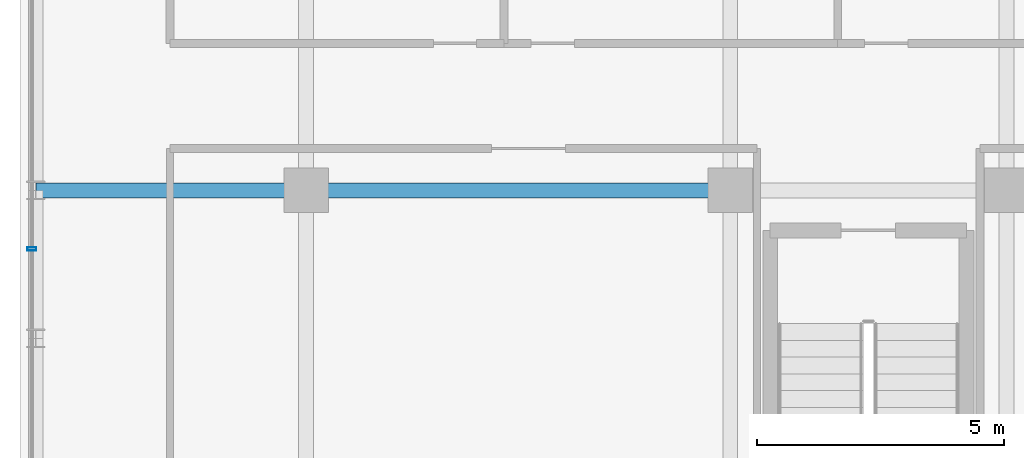
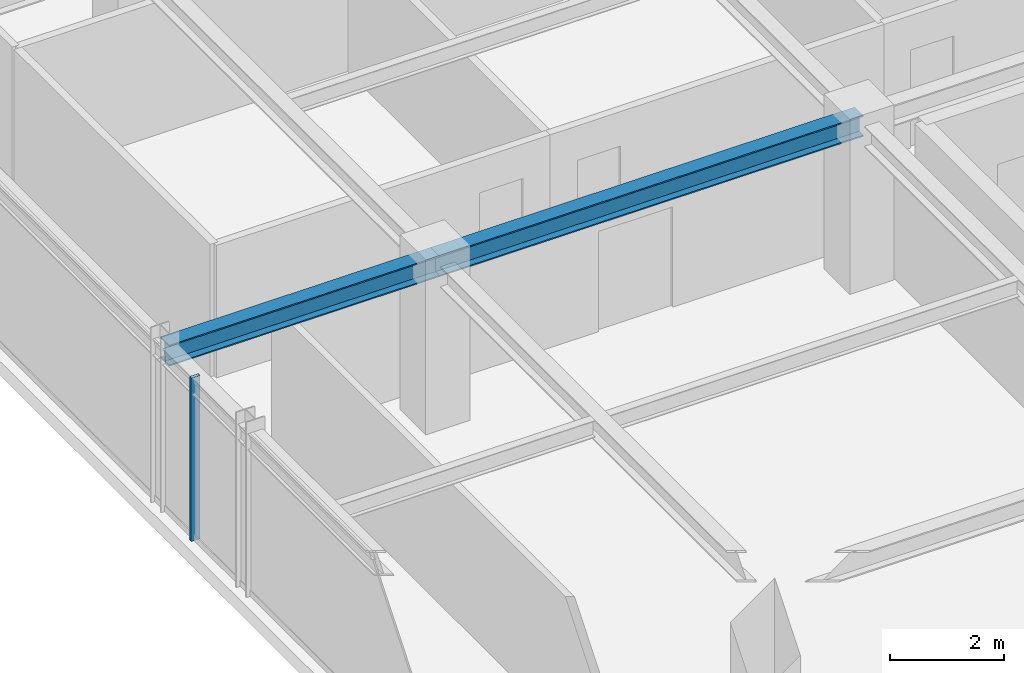
# One storey, part 9 of 32: 2 beams, 1 member, 1 element without a shape of its own.
"""IFC4 building model written with IfcOpenShell, lengths in metres."""

from ifc_helpers import new_model, si_unit, direction, frame, origin, origin_2d, place, context, subcontext, project, spatial, hollow_rectangle, i_section, extrude, source, transform, mapped, material, material_profile, profile_set, type_object, element, aggregate, save


model = new_model("IFC4")

# Units and contexts
model_context = context("Model", 3, precision=1e-05, world=origin(), true_north=direction((0.0, 1.0)))
body_context = subcontext(model_context, "Body", "Model", "MODEL_VIEW")
ifc_project = project(units=[si_unit("LENGTHUNIT", "METRE"), si_unit("AREAUNIT", "SQUARE_METRE"), si_unit("VOLUMEUNIT", "CUBIC_METRE"), si_unit("PLANEANGLEUNIT", "RADIAN"), si_unit("MASSUNIT", "GRAM", prefix="KILO")], contexts=[model_context])

# Site, building, storey
site_placement = place(None, origin())
site = spatial("IfcSite", under=ifc_project, at=site_placement, CompositionType="ELEMENT")
building_placement = place(site_placement, origin())
building = spatial("IfcBuilding", under=site, at=building_placement, Name="Nahalor Promenade Grand Hotel", CompositionType="ELEMENT")
storey_placement = place(building_placement, frame((0.0, 0.0, 330.949951171875)))
storey = spatial("IfcBuildingStorey", under=building, at=storey_placement, Name="L85", CompositionType="ELEMENT", Elevation=330.949951171875)

# Beams
ifc_material_1 = material(Name="Steel S355JR", Category="steel")
ifc_material_profile_1 = material_profile(ifc_material_1, i_section(OverallWidth=0.3, OverallDepth=0.45, WebThickness=0.014, FlangeThickness=0.026, at=origin_2d()), Name="HEB 450")
ifc_profile_set_1 = profile_set([ifc_material_profile_1], Name="Steel S355JR")
beam_type = type_object("IfcBeamType", Name="Beam-Girder-HEB450", PredefinedType="BEAM", material=ifc_profile_set_1)
shared_shape_1 = source(origin(), body_context, "Body", "SweptSolid", [
    extrude(i_section(OverallWidth=0.3, OverallDepth=0.45, WebThickness=0.014, FlangeThickness=0.026, at=origin_2d()), origin(), (0.0, 0.0, 1.0), 8.60009765625),
])
beam_1_placement = place(storey_placement, frame((-17.0, -5.39990234375, 3.275146484375), z_axis=(1.0, 0.0, 0.0), x_axis=(0.0, 1.0, 0.0)))
element("IfcBeam", 1, at=beam_1_placement, inside=storey, type_object=beam_type, Name="BM-L85-GX-1-1", PredefinedType="BEAM", context=body_context, shape_type="MappedRepresentation", body=[
    mapped(shared_shape_1, transform((0.0, 0.0, 0.0), scale=1.0)),
])
shared_shape_2 = source(origin(), body_context, "Body", "SweptSolid", [
    extrude(i_section(OverallWidth=0.3, OverallDepth=0.45, WebThickness=0.014, FlangeThickness=0.026, at=origin_2d()), origin(), (0.0, 0.0, 1.0), 5.47998046875),
])
beam_2_placement = place(storey_placement, frame((-22.47998046875, -5.39990234375, 3.275146484375), z_axis=(1.0, 0.0, 0.0), x_axis=(0.0, 1.0, 0.0)))
element("IfcBeam", 2, at=beam_2_placement, inside=storey, type_object=beam_type, Name="BM-L85-GX-1-0", PredefinedType="BEAM", context=body_context, shape_type="MappedRepresentation", body=[
    mapped(shared_shape_2, transform((0.0, 0.0, 0.0), scale=1.0)),
])

# Curtain wall, member
ifc_material_2 = material(Name="Anodised Bronze Aluminium EN AW-6063 T6", Category="aluminium")
curtain_wall_type = type_object("IfcCurtainWallType", Name="CW2 Typical Hotel Flush Bronze Unitised Curtain Wall", PredefinedType="USERDEFINED", material=ifc_material_2)
curtain_wall_placement = place(storey_placement, origin())
curtain_wall = element("IfcCurtainWall", 3, at=curtain_wall_placement, inside=storey, type_object=curtain_wall_type, Name="L85 Curtain Wall CW-L85-W-1", ObjectType="UNITISED_CURTAIN_WALL", PredefinedType="USERDEFINED")
ifc_material_profile_2 = material_profile(ifc_material_2, hollow_rectangle(XDim=0.065, YDim=0.18, WallThickness=0.004, at=origin_2d()), Name="CWM 65x180x4")
ifc_profile_set_2 = profile_set([ifc_material_profile_2], Name="Anodised Bronze Aluminium EN AW-6063 T6")
member_type = type_object("IfcMemberType", Name="CWM2 Typical Bronze Mullion 65x180", PredefinedType="MULLION", material=ifc_profile_set_2)
shared_shape_3 = source(origin(), body_context, "Body", "SweptSolid", [
    extrude(hollow_rectangle(XDim=0.065, YDim=0.18, WallThickness=0.004, at=origin_2d()), origin(), (0.0, 0.0, 1.0), 3.5),
])
member_placement = place(storey_placement, frame((-22.56005859375, -6.586669921875, 0.0), z_axis=(0.0, 0.0, 1.0), x_axis=(0.0, 1.0, 0.0)))
member = element("IfcMember", 4, at=member_placement, type_object=member_type, Name="CW-L85-W-1 Mullion 1", PredefinedType="MULLION", context=body_context, shape_type="MappedRepresentation", body=[
    mapped(shared_shape_3, transform((0.0, 0.0, 0.0), scale=1.0)),
])
aggregate(curtain_wall, [member])

save(model, "model.ifc")
